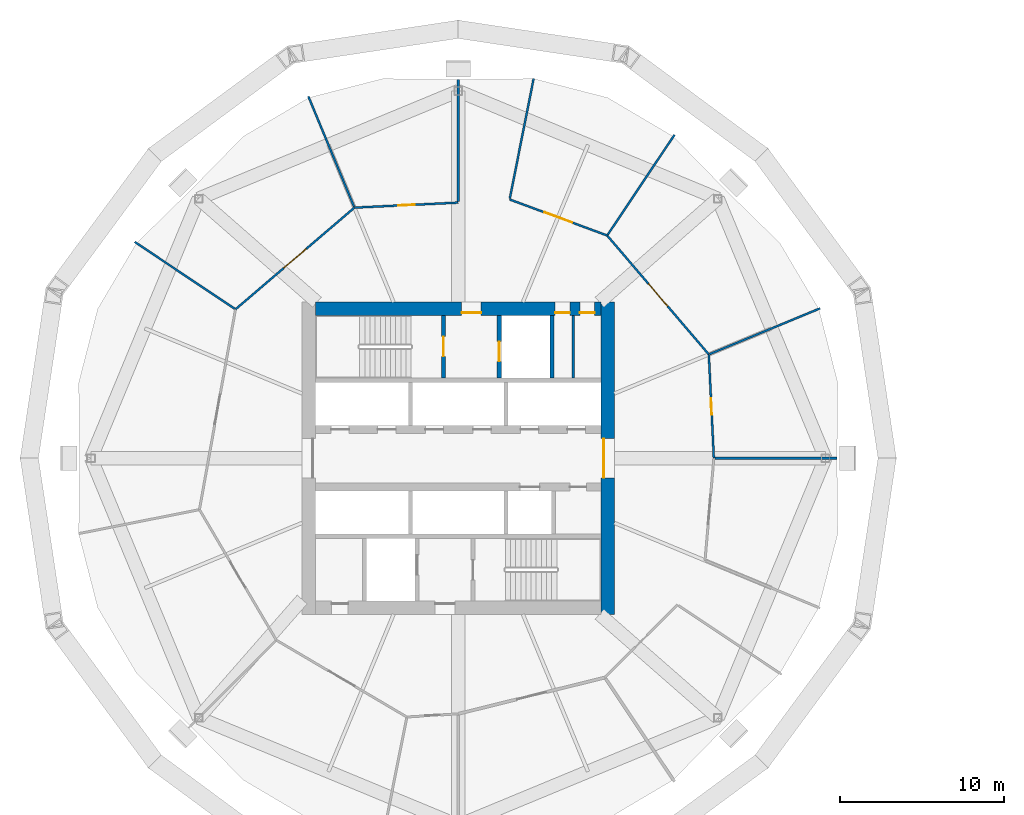
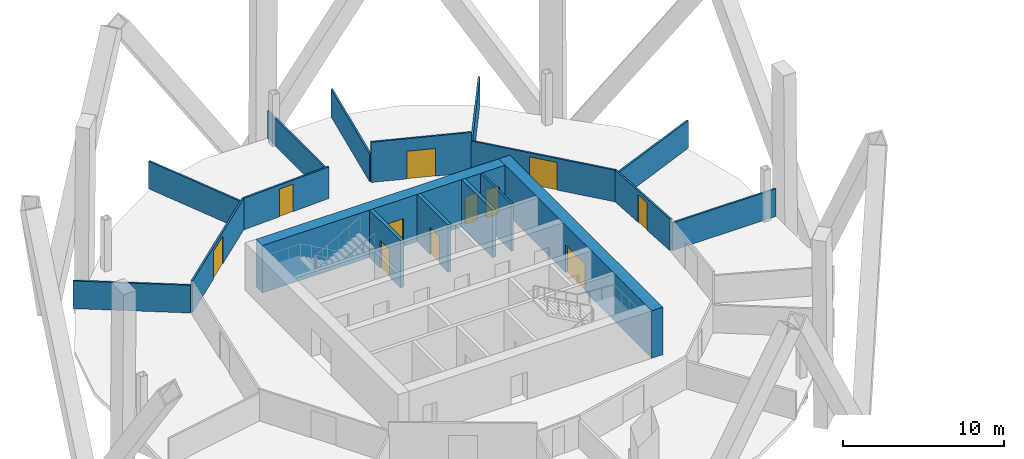
# One storey, part 5 of 10: 18 walls, 11 doors, 11 openings.
"""IFC4 building model written with IfcOpenShell, lengths in metres."""

import ifcopenshell
import ifcopenshell.guid

model = None  # the IFC model being written
_history = None  # IfcOwnerHistory: only IFC2X3 demands one
_inside = {}  # id of a spatial element -> (the spatial element, [elements in it])
_under = {}  # id of a project, library or spatial element -> (it, [spatial elements below it])
_declared = {}  # id of a project -> (the project, [libraries it declares])
_typed = {}  # id of a type object -> (the type object, [elements of that type])
_made_of = {}  # id of a material, layer set ... -> (it, [elements and type objects made of it])


def new_model(schema):
    """Start an empty IFC model of exactly this schema.

    Asked for "IFC4X3", IfcOpenShell would pick the latest addendum, in which some entities
    have other attributes; the version numbers below select the first issue.
    IFC2X3 requires an IfcOwnerHistory on every rooted entity: one is made here for all.
    """
    global model, _history
    if schema == "IFC4X3":
        model = ifcopenshell.file(schema_version=(4, 3, 0, 0))
    else:
        model = ifcopenshell.file(schema=schema)
    _inside.clear()
    _under.clear()
    _declared.clear()
    _typed.clear()
    _made_of.clear()
    _history = None
    if model.schema == "IFC2X3":
        org = make("IfcOrganization", Name="unknown")
        user = make(
            "IfcPersonAndOrganization",
            ThePerson=make("IfcPerson", FamilyName="unknown"),
            TheOrganization=org,
        )
        app = make(
            "IfcApplication",
            ApplicationDeveloper=org,
            Version="unknown",
            ApplicationFullName="unknown",
            ApplicationIdentifier="unknown",
        )
        _history = make(
            "IfcOwnerHistory",
            OwningUser=user,
            OwningApplication=app,
            ChangeAction="ADDED",
            CreationDate=0,
        )
    return model


def make(cls, **values):
    """One entity of the class cls with the attributes given. An attribute that is None is left unset."""
    return model.create_entity(
        cls, **{name: value for name, value in values.items() if value is not None}
    )


def rooted(cls, **values):
    """An entity with a GlobalId (a new one), such as an element, a storey or a relation."""
    return make(cls, GlobalId=ifcopenshell.guid.new(), OwnerHistory=_history, **values)


def si_unit(unit_type, name, prefix=None):
    """IfcSIUnit, for example si_unit("LENGTHUNIT", "METRE", prefix="MILLI")."""
    return make("IfcSIUnit", UnitType=unit_type, Prefix=prefix, Name=name)


def assignment(units):
    """IfcUnitAssignment: the units of a project."""
    return None if units is None else make("IfcUnitAssignment", Units=units)


def point(xyz):
    """IfcCartesianPoint."""
    return None if xyz is None else make("IfcCartesianPoint", Coordinates=xyz)


def direction(xyz):
    """IfcDirection."""
    return None if xyz is None else make("IfcDirection", DirectionRatios=xyz)


def frame(location, z_axis=None, x_axis=None):
    """IfcAxis2Placement3D, a coordinate frame: its origin and axes. An axis left out is left unset."""
    return make(
        "IfcAxis2Placement3D",
        Location=point(location),
        Axis=direction(z_axis),
        RefDirection=direction(x_axis),
    )


def frame_2d(location, x_axis=None):
    """IfcAxis2Placement2D, a coordinate frame in the plane: its origin and x axis."""
    return make(
        "IfcAxis2Placement2D", Location=point(location), RefDirection=direction(x_axis)
    )


def origin():
    """The frame at (0, 0, 0) with its axes left unset."""
    return frame((0.0, 0.0, 0.0))


def place(relative_to, where):
    """IfcLocalPlacement: puts the frame where relative to a parent placement (None: the world)."""
    return make(
        "IfcLocalPlacement", PlacementRelTo=relative_to, RelativePlacement=where
    )


def context(
    kind, dimensions, precision=None, world=None, true_north=None, identifier=None
):
    """IfcGeometricRepresentationContext, for example the 3D "Model" context."""
    return make(
        "IfcGeometricRepresentationContext",
        ContextIdentifier=identifier,
        ContextType=kind,
        CoordinateSpaceDimension=dimensions,
        Precision=precision,
        WorldCoordinateSystem=world,
        TrueNorth=true_north,
    )


def subcontext(parent, identifier, kind, view, scale=None):
    """IfcGeometricRepresentationSubContext, for example "Body" below "Model"."""
    return make(
        "IfcGeometricRepresentationSubContext",
        ContextIdentifier=identifier,
        ContextType=kind,
        ParentContext=parent,
        TargetScale=scale,
        TargetView=view,
    )


def project(units=None, contexts=None):
    """IfcProject with its units and contexts."""
    return rooted(
        "IfcProject",
        Name="project",
        RepresentationContexts=contexts,
        UnitsInContext=assignment(units),
    )


def spatial(cls, under=None, at=None, **own):
    """A site, building, storey or space (cls), placed at a placement, below another one or the project."""
    s = rooted(cls, ObjectPlacement=at, **own)
    if under is not None:
        _under.setdefault(under.id(), (under, []))[1].append(s)
    return s


def profile(cls, at=None, kind="AREA", **sizes):
    """A parametric profile (cls). Its sizes go by their IFC names, for example OverallWidth=200.0."""
    return make(cls, ProfileType=kind, Position=at, **sizes)


def rectangle(**sizes):
    """IfcRectangleProfileDef."""
    return profile("IfcRectangleProfileDef", **sizes)


def extrude(swept, where, along, depth):
    """IfcExtrudedAreaSolid: the profile swept, set in the frame where, extruded along a direction by depth."""
    return make(
        "IfcExtrudedAreaSolid",
        SweptArea=swept,
        Position=where,
        ExtrudedDirection=direction(along),
        Depth=depth,
    )


def shape(context_of_items, identifier, shape_type, items):
    """IfcShapeRepresentation: the items that make up one representation, for example the "Body"."""
    return make(
        "IfcShapeRepresentation",
        ContextOfItems=context_of_items,
        RepresentationIdentifier=identifier,
        RepresentationType=shape_type,
        Items=items,
    )


def material(Name=None, Category=None):
    """IfcMaterial."""
    return make("IfcMaterial", Name=Name, Category=Category)


def layer(
    of_material, thickness, ventilated=None, Name=None, Category=None, Priority=None
):
    """IfcMaterialLayer: one layer of a wall or slab, of a material (None: an air gap)."""
    return make(
        "IfcMaterialLayer",
        Material=of_material,
        LayerThickness=thickness,
        IsVentilated=ventilated,
        Name=Name,
        Category=Category,
        Priority=Priority,
    )


def layer_set(layers, Name=None):
    """IfcMaterialLayerSet."""
    return make("IfcMaterialLayerSet", MaterialLayers=layers, LayerSetName=Name)


def made_of(thing, what):
    """Note that an element or type object is made of a material, layer set ...; save() writes the relation."""
    if what is not None:
        _made_of.setdefault(what.id(), (what, []))[1].append(thing)
    return thing


def type_object(cls, material=None, **own):
    """A type object (cls), such as IfcWallType, which elements share."""
    return made_of(rooted(cls, **own), material)


def element(
    cls,
    number,
    at=None,
    inside=None,
    cuts=None,
    type_object=None,
    material=None,
    context=None,
    identifier="Body",
    shape_type=None,
    held_by="IfcProductDefinitionShape",
    body=None,
    shapes=None,
    **own,
):
    """One element of the class cls, such as IfcWall. Its Tag is "e" and its number.

    at: its placement. inside: the storey or other place that contains it. cuts: it is an
    opening in that element (IfcRelVoidsElement). A single representation is given by context,
    identifier, shape_type and body (its items); several are given by shapes. held_by: the class
    of the entity that holds the representations. save() writes the other relations.
    """
    e = rooted(cls, Tag="e%d" % number, ObjectPlacement=at, **own)
    if body is not None:
        shapes = [shape(context, identifier, shape_type, body)]
    if shapes is not None:
        e.Representation = make(held_by, Representations=shapes)
    if inside is not None:
        _inside.setdefault(inside.id(), (inside, []))[1].append(e)
    if cuts is not None:
        rooted(
            "IfcRelVoidsElement", RelatingBuildingElement=cuts, RelatedOpeningElement=e
        )
    if type_object is not None:
        _typed.setdefault(type_object.id(), (type_object, []))[1].append(e)
    return made_of(e, material)


def fill(opening, filler):
    """IfcRelFillsElement: the door or window that sits in an opening."""
    return rooted(
        "IfcRelFillsElement",
        RelatingOpeningElement=opening,
        RelatedBuildingElement=filler,
    )


def aggregate(whole, parts):
    """IfcRelAggregates: a whole, such as a stair, and the parts it consists of."""
    return rooted("IfcRelAggregates", RelatingObject=whole, RelatedObjects=parts)


def save(model, path):
    """Write the relations noted so far, then the file.

    IfcRelAggregates (storeys below a building ...), IfcRelContainedInSpatialStructure (elements
    in a storey), IfcRelDefinesByType, IfcRelAssociatesMaterial and IfcRelDeclares: one each for
    every whole, place, type object, material and project.
    """
    for whole, parts in _under.values():
        aggregate(whole, parts)
    for where, things in _inside.values():
        rooted(
            "IfcRelContainedInSpatialStructure",
            RelatedElements=things,
            RelatingStructure=where,
        )
    for kind, things in _typed.values():
        rooted("IfcRelDefinesByType", RelatedObjects=things, RelatingType=kind)
    for what, things in _made_of.values():
        rooted("IfcRelAssociatesMaterial", RelatedObjects=things, RelatingMaterial=what)
    for by, libraries in _declared.values():
        rooted("IfcRelDeclares", RelatingContext=by, RelatedDefinitions=libraries)
    model.write(path)


model = new_model("IFC4")

# Units and contexts
model_context = context("Model", 3, precision=1e-05, world=origin(), true_north=direction((0.0, 1.0)))
body_context = subcontext(model_context, "Body", "Model", "MODEL_VIEW")
ifc_project = project(units=[si_unit("LENGTHUNIT", "METRE"), si_unit("AREAUNIT", "SQUARE_METRE"), si_unit("VOLUMEUNIT", "CUBIC_METRE"), si_unit("PLANEANGLEUNIT", "RADIAN"), si_unit("MASSUNIT", "GRAM", prefix="KILO")], contexts=[model_context])

# Site, building, storey
site_placement = place(None, origin())
site = spatial("IfcSite", under=ifc_project, at=site_placement, CompositionType="ELEMENT")
building_placement = place(site_placement, origin())
building = spatial("IfcBuilding", under=site, at=building_placement, Name="Ogive Gate Towers", CompositionType="ELEMENT")
storey_placement = place(building_placement, frame((0.0, 0.0, 119.10009765625)))
storey = spatial("IfcBuildingStorey", under=building, at=storey_placement, Name="L28", CompositionType="ELEMENT", Elevation=119.10009765625)

# Wall, openings, doors
ifc_material_1 = material(Name="Concrete C60/75", Category="concrete")
ifc_layer_1 = layer(ifc_material_1, 0.800048828125)
ifc_layer_set_1 = layer_set([ifc_layer_1], Name="Core wall 800 mm")
wall_type_1 = type_object("IfcWallType", Name="Core wall 800 mm", PredefinedType="SHEAR", material=ifc_layer_set_1)
wall_1_placement = place(storey_placement, frame((-44.699951171875, 9.10009765625, 0.0), z_axis=(0.0, 0.0, 1.0), x_axis=(1.0, 0.0, 0.0)))
wall_1 = element("IfcWall", 1, at=wall_1_placement, inside=storey, type_object=wall_type_1, Name="T1 L28 Core wall 800 mm", PredefinedType="SHEAR", context=body_context, shape_type="SweptSolid", body=[
    extrude(rectangle(XDim=17.39990234375, YDim=0.800048828125, at=frame_2d((8.699951171875, 0.0))), origin(), (0.0, 0.0, 1.0), 3.599853515625),
])
opening_1_placement = place(wall_1_placement, frame((8.89990234375, 0.0, 0.0)))
opening_1 = element("IfcOpeningElement", 2, at=opening_1_placement, cuts=wall_1, Name="Opening KD-T1-L28-15", PredefinedType="OPENING", context=body_context, shape_type="SweptSolid", body=[
    extrude(rectangle(XDim=1.199951171875, YDim=2.10009765625, at=frame_2d((0.60009765625, 1.050048828125))), frame((0.0, 0.41015625, 0.0), z_axis=(0.0, -1.0, 0.0), x_axis=(1.0, 0.0, 0.0)), (0.0, 0.0, 1.0), 0.820068359375),
])
opening_2_placement = place(wall_1_placement, frame((14.60009765625, 0.0, 0.0)))
opening_2 = element("IfcOpeningElement", 3, at=opening_2_placement, cuts=wall_1, Name="Opening KD-T1-L28-17", PredefinedType="OPENING", context=body_context, shape_type="SweptSolid", body=[
    extrude(rectangle(XDim=0.89990234375, YDim=2.10009765625, at=frame_2d((0.449951171875, 1.050048828125))), frame((0.0, 0.41015625, 0.0), z_axis=(0.0, -1.0, 0.0), x_axis=(1.0, 0.0, 0.0)), (0.0, 0.0, 1.0), 0.820068359375),
])
opening_3_placement = place(wall_1_placement, frame((16.10009765625, 0.0, 0.0)))
opening_3 = element("IfcOpeningElement", 4, at=opening_3_placement, cuts=wall_1, Name="Opening KD-T1-L28-18", PredefinedType="OPENING", context=body_context, shape_type="SweptSolid", body=[
    extrude(rectangle(XDim=0.89990234375, YDim=2.10009765625, at=frame_2d((0.449951171875, 1.050048828125))), frame((0.0, 0.41015625, 0.0), z_axis=(0.0, -1.0, 0.0), x_axis=(1.0, 0.0, 0.0)), (0.0, 0.0, 1.0), 0.820068359375),
])
ifc_material_2 = material(Name="Timber door", Category="wood")
door_type_1 = type_object("IfcDoorType", Name="Core WC door 900 x 2100", OperationType="NOTDEFINED", PredefinedType="DOOR", material=ifc_material_2)
door_1_placement = place(opening_2_placement, origin())
door_1 = element("IfcDoor", 5, at=door_1_placement, inside=storey, type_object=door_type_1, Name="T1 L28 Core door", OperationType="SINGLE_SWING_RIGHT", OverallHeight=2.10009765625, OverallWidth=0.89990234375, PredefinedType="DOOR", context=body_context, shape_type="SweptSolid", body=[
    extrude(rectangle(XDim=0.89990234375, YDim=2.10009765625, at=frame_2d((0.449951171875, 1.050048828125))), frame((0.0, -0.22509765625, 0.0), z_axis=(0.0, -1.0, 0.0), x_axis=(1.0, 0.0, 0.0)), (0.0, 0.0, 1.0), 0.050048828125),
])
fill(opening_2, door_1)
door_2_placement = place(opening_3_placement, origin())
door_2 = element("IfcDoor", 6, at=door_2_placement, inside=storey, type_object=door_type_1, Name="T1 L28 Core door", OperationType="SINGLE_SWING_LEFT", OverallHeight=2.10009765625, OverallWidth=0.89990234375, PredefinedType="DOOR", context=body_context, shape_type="SweptSolid", body=[
    extrude(rectangle(XDim=0.89990234375, YDim=2.10009765625, at=frame_2d((0.449951171875, 1.050048828125))), frame((0.0, -0.22509765625, 0.0), z_axis=(0.0, -1.0, 0.0), x_axis=(1.0, 0.0, 0.0)), (0.0, 0.0, 1.0), 0.050048828125),
])
fill(opening_3, door_2)
ifc_material_3 = material(Name="Steel fire door", Category="steel")
door_type_2 = type_object("IfcDoorType", Name="Core door FD60S 1200 x 2100", OperationType="NOTDEFINED", PredefinedType="DOOR", material=ifc_material_3)
door_3_placement = place(opening_1_placement, origin())
door_3 = element("IfcDoor", 7, at=door_3_placement, inside=storey, type_object=door_type_2, Name="T1 L28 Fire-fighting lobby door", OperationType="SINGLE_SWING_RIGHT", OverallHeight=2.10009765625, OverallWidth=1.199951171875, PredefinedType="DOOR", context=body_context, shape_type="SweptSolid", body=[
    extrude(rectangle(XDim=1.199951171875, YDim=2.10009765625, at=frame_2d((0.60009765625, 1.050048828125))), frame((0.0, -0.22509765625, 0.0), z_axis=(0.0, -1.0, 0.0), x_axis=(1.0, 0.0, 0.0)), (0.0, 0.0, 1.0), 0.050048828125),
])
fill(opening_1, door_3)

# Wall, opening, door
wall_2_placement = place(storey_placement, frame((-26.89990234375, -9.5, 0.0), z_axis=(0.0, 0.0, 1.0), x_axis=(0.0, 1.0, 0.0)))
wall_2 = element("IfcWall", 8, at=wall_2_placement, inside=storey, type_object=wall_type_1, Name="T1 L28 Core wall 800 mm", PredefinedType="SHEAR", context=body_context, shape_type="SweptSolid", body=[
    extrude(rectangle(XDim=19.0, YDim=0.800048828125, at=frame_2d((9.5, 0.0))), origin(), (0.0, 0.0, 1.0), 3.599853515625),
])
opening_4_placement = place(wall_2_placement, frame((8.300048828125, 0.0, 0.0)))
opening_4 = element("IfcOpeningElement", 9, at=opening_4_placement, cuts=wall_2, Name="Opening KD-T1-L28-02", PredefinedType="OPENING", context=body_context, shape_type="SweptSolid", body=[
    extrude(rectangle(XDim=2.39990234375, YDim=2.10009765625, at=frame_2d((1.199951171875, 1.050048828125))), frame((0.0, 0.41015625, 0.0), z_axis=(0.0, -1.0, 0.0), x_axis=(1.0, 0.0, 0.0)), (0.0, 0.0, 1.0), 0.820068359375),
])
door_type_3 = type_object("IfcDoorType", Name="Core double door FD60S 2400 x 2100", OperationType="DOUBLE_DOOR_SINGLE_SWING", PredefinedType="DOOR", material=ifc_material_3)
door_4_placement = place(opening_4_placement, origin())
door_4 = element("IfcDoor", 10, at=door_4_placement, inside=storey, type_object=door_type_3, Name="T1 L28 Core door double", OperationType="DOUBLE_DOOR_SINGLE_SWING", OverallHeight=2.10009765625, OverallWidth=2.39990234375, PredefinedType="DOOR", context=body_context, shape_type="SweptSolid", body=[
    extrude(rectangle(XDim=2.39990234375, YDim=2.10009765625, at=frame_2d((1.199951171875, 1.050048828125))), frame((0.0, 0.27490234375, 0.0), z_axis=(0.0, -1.0, 0.0), x_axis=(1.0, 0.0, 0.0)), (0.0, 0.0, 1.0), 0.050048828125),
])
fill(opening_4, door_4)

# Walls
ifc_material_4 = material(Name="Gypsum board partition")
ifc_layer_2 = layer(ifc_material_4, 0.125)
ifc_layer_set_2 = layer_set([ifc_layer_2], Name="Partition 125")
wall_type_2 = type_object("IfcWallType", Name="Partition 125", PredefinedType="PARTITIONING", material=ifc_layer_set_2)
wall_3_placement = place(storey_placement, frame((-12.94091796875, 0.0, 0.0), z_axis=(0.0, 0.0, 1.0), x_axis=(-1.0, 0.0, 0.0)))
element("IfcWall", 11, at=wall_3_placement, inside=storey, type_object=wall_type_2, Name="Partition T1-L28-001", PredefinedType="PARTITIONING", context=body_context, shape_type="SweptSolid", body=[
    extrude(rectangle(XDim=7.4365234375, YDim=0.125, at=frame_2d((3.71826171875, 0.0))), origin(), (0.0, 0.0, 1.0), 2.099853515625),
])
wall_4_placement = place(storey_placement, frame((-13.97216796875, 9.124267578125, 0.0), z_axis=(0.0, 0.0, 1.0), x_axis=(-0.923869874564, -0.382706747879, 0.0)))
element("IfcWall", 12, at=wall_4_placement, inside=storey, type_object=wall_type_2, Name="Partition T1-L28-002", PredefinedType="PARTITIONING", context=body_context, shape_type="SweptSolid", body=[
    extrude(rectangle(XDim=7.269287109375, YDim=0.125, at=frame_2d((3.634765625, 0.0))), origin(), (0.0, 0.0, 1.0), 2.099853515625),
])
wall_5_placement = place(storey_placement, frame((-22.8330078125, 19.69189453125, 0.0), z_axis=(0.0, 0.0, 1.0), x_axis=(-0.555847227535, -0.831284463732, 0.0)))
element("IfcWall", 13, at=wall_5_placement, inside=storey, type_object=wall_type_2, Name="Partition T1-L28-003", PredefinedType="PARTITIONING", context=body_context, shape_type="SweptSolid", body=[
    extrude(rectangle(XDim=7.315185546875, YDim=0.125, at=frame_2d((3.65771484375, 0.0))), origin(), (0.0, 0.0, 1.0), 2.099853515625),
])
for number, where, z_axis, x_axis, name in (
    (14, (-31.4111328125, 23.1083984375, 0.0), (0.0, 0.0, 1.0), (-0.194777518337, -0.980847449072, 0.0), "Partition T1-L28-004"),
    (15, (-36.0, 23.05908203125, 0.0), (0.0, 0.0, 1.0), (0.0, -1.0, 0.0), "Partition T1-L28-005"),
):
    element("IfcWall", number, at=place(storey_placement, frame(where, z_axis=z_axis, x_axis=x_axis)), inside=storey, type_object=wall_type_2, Name=name, PredefinedType="PARTITIONING", context=body_context, shape_type="SweptSolid", body=[
        extrude(rectangle(XDim=7.4365234375, YDim=0.125, at=frame_2d((3.71826171875, 0.0))), origin(), (0.0, 0.0, 1.0), 2.099853515625),
    ])
wall_6_placement = place(storey_placement, frame((-45.124267578125, 22.02783203125, 0.0), z_axis=(0.0, 0.0, 1.0), x_axis=(0.382706747879, -0.923869874564, 0.0)))
element("IfcWall", 16, at=wall_6_placement, inside=storey, type_object=wall_type_2, Name="Partition T1-L28-006", PredefinedType="PARTITIONING", context=body_context, shape_type="SweptSolid", body=[
    extrude(rectangle(XDim=7.269287109375, YDim=0.125, at=frame_2d((3.634765625, 0.0))), origin(), (0.0, 0.0, 1.0), 2.099853515625),
])
wall_7_placement = place(storey_placement, frame((-55.69189453125, 13.1669921875, 0.0), z_axis=(0.0, 0.0, 1.0), x_axis=(0.831284463732, -0.555847227535, 0.0)))
element("IfcWall", 17, at=wall_7_placement, inside=storey, type_object=wall_type_2, Name="Partition T1-L28-007", PredefinedType="PARTITIONING", context=body_context, shape_type="SweptSolid", body=[
    extrude(rectangle(XDim=7.315185546875, YDim=0.125, at=frame_2d((3.65771484375, 0.0))), origin(), (0.0, 0.0, 1.0), 2.099853515625),
])

# Wall, opening, door
wall_8_placement = place(storey_placement, frame((-36.0, 15.56005859375, 0.0), z_axis=(0.0, 0.0, 1.0), x_axis=(-0.99883010361, -0.048357255122, 0.0)))
wall_8 = element("IfcWall", 18, at=wall_8_placement, inside=storey, type_object=wall_type_2, Name="Partition T1-L28-015", PredefinedType="PARTITIONING", context=body_context, shape_type="SweptSolid", body=[
    extrude(rectangle(XDim=6.325927734375, YDim=0.125, at=frame_2d((3.1630859375, 0.0))), origin(), (0.0, 0.0, 1.0), 2.39990234375),
])
opening_5_placement = place(wall_8_placement, frame((2.6630859375, 0.0, 0.0)))
opening_5 = element("IfcOpeningElement", 19, at=opening_5_placement, cuts=wall_8, Name="Opening T1-L28-D01", PredefinedType="OPENING", context=body_context, shape_type="SweptSolid", body=[
    extrude(rectangle(XDim=1.0, YDim=2.10009765625, at=frame_2d((0.5, 1.050048828125))), frame((0.0, 0.072509765625, 0.0), z_axis=(0.0, -1.0, 0.0), x_axis=(1.0, 0.0, 0.0)), (0.0, 0.0, 1.0), 0.14501953125),
])
door_type_4 = type_object("IfcDoorType", Name="Door 1000", OperationType="NOTDEFINED", PredefinedType="DOOR", material=ifc_material_2)
door_5_placement = place(opening_5_placement, origin())
door_5 = element("IfcDoor", 20, at=door_5_placement, inside=storey, type_object=door_type_4, Name="Door T1-L28-D01", OperationType="SINGLE_SWING_LEFT", OverallHeight=2.10009765625, OverallWidth=1.0, PredefinedType="DOOR", context=body_context, shape_type="SweptSolid", body=[
    extrude(rectangle(XDim=1.0, YDim=2.10009765625, at=frame_2d((0.5, 1.050048828125))), frame((0.0, 0.02490234375, 0.0), z_axis=(0.0, -1.0, 0.0), x_axis=(1.0, 0.0, 0.0)), (0.0, 0.0, 1.0), 0.050048828125),
])
fill(opening_5, door_5)

wall_9_placement = place(storey_placement, frame((-42.318603515625, 15.254150390625, 0.0), z_axis=(0.0, 0.0, 1.0), x_axis=(-0.760185869264, -0.649705659643, 0.0)))
wall_9 = element("IfcWall", 21, at=wall_9_placement, inside=storey, type_object=wall_type_2, Name="Partition T1-L28-016", PredefinedType="PARTITIONING", context=body_context, shape_type="SweptSolid", body=[
    extrude(rectangle(XDim=9.5244140625, YDim=0.125, at=frame_2d((4.76220703125, 0.0))), origin(), (0.0, 0.0, 1.0), 2.39990234375),
])
opening_6_placement = place(wall_9_placement, frame((3.862060546875, 0.0, 0.0)))
opening_6 = element("IfcOpeningElement", 22, at=opening_6_placement, cuts=wall_9, Name="Opening T1-L28-D02", PredefinedType="OPENING", context=body_context, shape_type="SweptSolid", body=[
    extrude(rectangle(XDim=1.800048828125, YDim=2.10009765625, at=frame_2d((0.89990234375, 1.050048828125))), frame((0.0, 0.072509765625, 0.0), z_axis=(0.0, -1.0, 0.0), x_axis=(1.0, 0.0, 0.0)), (0.0, 0.0, 1.0), 0.14501953125),
])
door_type_5 = type_object("IfcDoorType", Name="Door pair 1800", OperationType="NOTDEFINED", PredefinedType="DOOR", material=ifc_material_2)
door_6_placement = place(opening_6_placement, origin())
door_6 = element("IfcDoor", 23, at=door_6_placement, inside=storey, type_object=door_type_5, Name="Door T1-L28-D02", OperationType="DOUBLE_DOOR_DOUBLE_SWING", OverallHeight=2.10009765625, OverallWidth=1.800048828125, PredefinedType="DOOR", context=body_context, shape_type="SweptSolid", body=[
    extrude(rectangle(XDim=1.800048828125, YDim=2.10009765625, at=frame_2d((0.89990234375, 1.050048828125))), frame((0.0, 0.02490234375, 0.0), z_axis=(0.0, -1.0, 0.0), x_axis=(1.0, 0.0, 0.0)), (0.0, 0.0, 1.0), 0.050048828125),
])
fill(opening_6, door_6)

wall_10_placement = place(storey_placement, frame((-20.43994140625, 0.0, 0.0), z_axis=(0.0, 0.0, 1.0), x_axis=(-0.048357255122, 0.99883010361, 0.0)))
wall_10 = element("IfcWall", 24, at=wall_10_placement, inside=storey, type_object=wall_type_2, Name="Partition T1-L28-024", PredefinedType="PARTITIONING", context=body_context, shape_type="SweptSolid", body=[
    extrude(rectangle(XDim=6.325927734375, YDim=0.125, at=frame_2d((3.1630859375, 0.0))), origin(), (0.0, 0.0, 1.0), 2.39990234375),
])
opening_7_placement = place(wall_10_placement, frame((2.6630859375, 0.0, 0.0)))
opening_7 = element("IfcOpeningElement", 25, at=opening_7_placement, cuts=wall_10, Name="Opening T1-L28-D10", PredefinedType="OPENING", context=body_context, shape_type="SweptSolid", body=[
    extrude(rectangle(XDim=1.0, YDim=2.10009765625, at=frame_2d((0.5, 1.050048828125))), frame((0.0, 0.072509765625, 0.0), z_axis=(0.0, -1.0, 0.0), x_axis=(1.0, 0.0, 0.0)), (0.0, 0.0, 1.0), 0.14501953125),
])
door_7_placement = place(opening_7_placement, origin())
door_7 = element("IfcDoor", 26, at=door_7_placement, inside=storey, type_object=door_type_4, Name="Door T1-L28-D10", OperationType="SINGLE_SWING_LEFT", OverallHeight=2.10009765625, OverallWidth=1.0, PredefinedType="DOOR", context=body_context, shape_type="SweptSolid", body=[
    extrude(rectangle(XDim=1.0, YDim=2.10009765625, at=frame_2d((0.5, 1.050048828125))), frame((0.0, 0.02490234375, 0.0), z_axis=(0.0, -1.0, 0.0), x_axis=(1.0, 0.0, 0.0)), (0.0, 0.0, 1.0), 0.050048828125),
])
fill(opening_7, door_7)

wall_11_placement = place(storey_placement, frame((-20.745849609375, 6.318603515625, 0.0), z_axis=(0.0, 0.0, 1.0), x_axis=(-0.649705659643, 0.760185869264, 0.0)))
wall_11 = element("IfcWall", 27, at=wall_11_placement, inside=storey, type_object=wall_type_2, Name="Partition T1-L28-025", PredefinedType="PARTITIONING", context=body_context, shape_type="SweptSolid", body=[
    extrude(rectangle(XDim=9.5244140625, YDim=0.125, at=frame_2d((4.76220703125, 0.0))), origin(), (0.0, 0.0, 1.0), 2.39990234375),
])
opening_8_placement = place(wall_11_placement, frame((3.862060546875, 0.0, 0.0)))
opening_8 = element("IfcOpeningElement", 28, at=opening_8_placement, cuts=wall_11, Name="Opening T1-L28-D11", PredefinedType="OPENING", context=body_context, shape_type="SweptSolid", body=[
    extrude(rectangle(XDim=1.800048828125, YDim=2.10009765625, at=frame_2d((0.89990234375, 1.050048828125))), frame((0.0, 0.072509765625, 0.0), z_axis=(0.0, -1.0, 0.0), x_axis=(1.0, 0.0, 0.0)), (0.0, 0.0, 1.0), 0.14501953125),
])
door_8_placement = place(opening_8_placement, origin())
door_8 = element("IfcDoor", 29, at=door_8_placement, inside=storey, type_object=door_type_5, Name="Door T1-L28-D11", OperationType="DOUBLE_DOOR_DOUBLE_SWING", OverallHeight=2.10009765625, OverallWidth=1.800048828125, PredefinedType="DOOR", context=body_context, shape_type="SweptSolid", body=[
    extrude(rectangle(XDim=1.800048828125, YDim=2.10009765625, at=frame_2d((0.89990234375, 1.050048828125))), frame((0.0, 0.02490234375, 0.0), z_axis=(0.0, -1.0, 0.0), x_axis=(1.0, 0.0, 0.0)), (0.0, 0.0, 1.0), 0.050048828125),
])
fill(opening_8, door_8)

wall_12_placement = place(storey_placement, frame((-26.933837890625, 13.558837890625, 0.0), z_axis=(0.0, 0.0, 1.0), x_axis=(-0.938014125343, 0.34659702921, 0.0)))
wall_12 = element("IfcWall", 30, at=wall_12_placement, inside=storey, type_object=wall_type_2, Name="Partition T1-L28-026", PredefinedType="PARTITIONING", context=body_context, shape_type="SweptSolid", body=[
    extrude(rectangle(XDim=6.330322265625, YDim=0.125, at=frame_2d((3.1650390625, 0.0))), origin(), (0.0, 0.0, 1.0), 3.0498046875),
])
opening_9_placement = place(wall_12_placement, frame((2.264892578125, 0.0, 0.0)))
opening_9 = element("IfcOpeningElement", 31, at=opening_9_placement, cuts=wall_12, Name="Opening T1-L28-D12", PredefinedType="OPENING", context=body_context, shape_type="SweptSolid", body=[
    extrude(rectangle(XDim=1.800048828125, YDim=2.10009765625, at=frame_2d((0.89990234375, 1.050048828125))), frame((0.0, 0.072509765625, 0.0), z_axis=(0.0, -1.0, 0.0), x_axis=(1.0, 0.0, 0.0)), (0.0, 0.0, 1.0), 0.14501953125),
])
door_9_placement = place(opening_9_placement, origin())
door_9 = element("IfcDoor", 32, at=door_9_placement, inside=storey, type_object=door_type_5, Name="Door T1-L28-D12", OperationType="DOUBLE_DOOR_DOUBLE_SWING", OverallHeight=2.10009765625, OverallWidth=1.800048828125, PredefinedType="DOOR", context=body_context, shape_type="SweptSolid", body=[
    extrude(rectangle(XDim=1.800048828125, YDim=2.10009765625, at=frame_2d((0.89990234375, 1.050048828125))), frame((0.0, 0.02490234375, 0.0), z_axis=(0.0, -1.0, 0.0), x_axis=(1.0, 0.0, 0.0)), (0.0, 0.0, 1.0), 0.050048828125),
])
fill(opening_9, door_9)

# Wall
ifc_layer_3 = layer(ifc_material_4, 0.14990234375)
ifc_layer_set_3 = layer_set([ifc_layer_3], Name="Room partition 150 mm")
wall_type_3 = type_object("IfcWallType", Name="Room partition 150 mm", PredefinedType="PARTITIONING", material=ifc_layer_set_3)
wall_13_placement = place(storey_placement, frame((-29.0, 4.875, 0.0), z_axis=(0.0, 0.0, 1.0), x_axis=(0.0, 1.0, 0.0)))
element("IfcWall", 33, at=wall_13_placement, inside=storey, type_object=wall_type_3, Name="T1 L28 Room partition 150 mm", PredefinedType="PARTITIONING", context=body_context, shape_type="SweptSolid", body=[
    extrude(rectangle(XDim=3.824951171875, YDim=0.14990234375, at=frame_2d((1.91259765625, 0.0))), origin(), (0.0, 0.0, 1.0), 3.599853515625),
])

# Wall, opening, door
ifc_layer_4 = layer(ifc_material_1, 0.25)
ifc_layer_set_4 = layer_set([ifc_layer_4], Name="Shaft wall 250 mm")
wall_type_4 = type_object("IfcWallType", Name="Shaft wall 250 mm", PredefinedType="SHEAR", material=ifc_layer_set_4)
wall_14_placement = place(storey_placement, frame((-36.89990234375, 4.875, 0.0), z_axis=(0.0, 0.0, 1.0), x_axis=(0.0, 1.0, 0.0)))
wall_14 = element("IfcWall", 34, at=wall_14_placement, inside=storey, type_object=wall_type_4, Name="T1 L28 Shaft wall 250 mm", PredefinedType="SHEAR", context=body_context, shape_type="SweptSolid", body=[
    extrude(rectangle(XDim=3.824951171875, YDim=0.25, at=frame_2d((1.91259765625, 0.0))), origin(), (0.0, 0.0, 1.0), 3.599853515625),
])
opening_10_placement = place(wall_14_placement, frame((1.324951171875, 0.0, 0.0)))
opening_10 = element("IfcOpeningElement", 35, at=opening_10_placement, cuts=wall_14, Name="Opening KD-T1-L28-13", PredefinedType="OPENING", context=body_context, shape_type="SweptSolid", body=[
    extrude(rectangle(XDim=1.199951171875, YDim=2.10009765625, at=frame_2d((0.60009765625, 1.050048828125))), frame((0.0, 0.135009765625, 0.0), z_axis=(0.0, -1.0, 0.0), x_axis=(1.0, 0.0, 0.0)), (0.0, 0.0, 1.0), 0.27001953125),
])
door_10_placement = place(opening_10_placement, origin())
door_10 = element("IfcDoor", 36, at=door_10_placement, inside=storey, type_object=door_type_2, Name="T1 L28 Stair door", OperationType="SINGLE_SWING_RIGHT", OverallHeight=2.10009765625, OverallWidth=1.199951171875, PredefinedType="DOOR", context=body_context, shape_type="SweptSolid", body=[
    extrude(rectangle(XDim=1.199951171875, YDim=2.10009765625, at=frame_2d((0.60009765625, 1.050048828125))), frame((0.0, 0.02490234375, 0.0), z_axis=(0.0, -1.0, 0.0), x_axis=(1.0, 0.0, 0.0)), (0.0, 0.0, 1.0), 0.050048828125),
])
fill(opening_10, door_10)

wall_15_placement = place(storey_placement, frame((-33.5, 4.875, 0.0), z_axis=(0.0, 0.0, 1.0), x_axis=(0.0, 1.0, 0.0)))
wall_15 = element("IfcWall", 37, at=wall_15_placement, inside=storey, type_object=wall_type_4, Name="T1 L28 Shaft wall 250 mm", PredefinedType="SHEAR", context=body_context, shape_type="SweptSolid", body=[
    extrude(rectangle(XDim=3.824951171875, YDim=0.25, at=frame_2d((1.91259765625, 0.0))), origin(), (0.0, 0.0, 1.0), 3.599853515625),
])
opening_11_placement = place(wall_15_placement, frame((1.02490234375, 0.0, 0.0)))
opening_11 = element("IfcOpeningElement", 38, at=opening_11_placement, cuts=wall_15, Name="Opening LD-T1-L28-10", PredefinedType="OPENING", context=body_context, shape_type="SweptSolid", body=[
    extrude(rectangle(XDim=1.199951171875, YDim=2.10009765625, at=frame_2d((0.60009765625, 1.050048828125))), frame((0.0, 0.135009765625, 0.0), z_axis=(0.0, -1.0, 0.0), x_axis=(1.0, 0.0, 0.0)), (0.0, 0.0, 1.0), 0.27001953125),
])
ifc_material_5 = material(Name="Stainless steel landing door", Category="steel")
door_type_6 = type_object("IfcDoorType", Name="Landing door 1200 x 2100", OperationType="SLIDING_TO_LEFT", PredefinedType="DOOR", material=ifc_material_5)
door_11_placement = place(opening_11_placement, origin())
door_11 = element("IfcDoor", 39, at=door_11_placement, inside=storey, type_object=door_type_6, Name="T1 L28 Lift landing door FF1", OperationType="SLIDING_TO_LEFT", OverallHeight=2.10009765625, OverallWidth=1.199951171875, PredefinedType="DOOR", context=body_context, shape_type="SweptSolid", body=[
    extrude(rectangle(XDim=1.199951171875, YDim=2.10009765625, at=frame_2d((0.60009765625, 1.050048828125))), frame((0.0, 0.02490234375, 0.0), z_axis=(0.0, -1.0, 0.0), x_axis=(1.0, 0.0, 0.0)), (0.0, 0.0, 1.0), 0.050048828125),
])
fill(opening_11, door_11)

# Wall
wall_16_placement = place(storey_placement, frame((-30.300048828125, 4.875, 0.0), z_axis=(0.0, 0.0, 1.0), x_axis=(0.0, 1.0, 0.0)))
element("IfcWall", 40, at=wall_16_placement, inside=storey, type_object=wall_type_4, Name="T1 L28 Shaft wall 250 mm", PredefinedType="SHEAR", context=body_context, shape_type="SweptSolid", body=[
    extrude(rectangle(XDim=3.824951171875, YDim=0.25, at=frame_2d((1.91259765625, 0.0))), origin(), (0.0, 0.0, 1.0), 3.599853515625),
])

save(model, "model.ifc")
